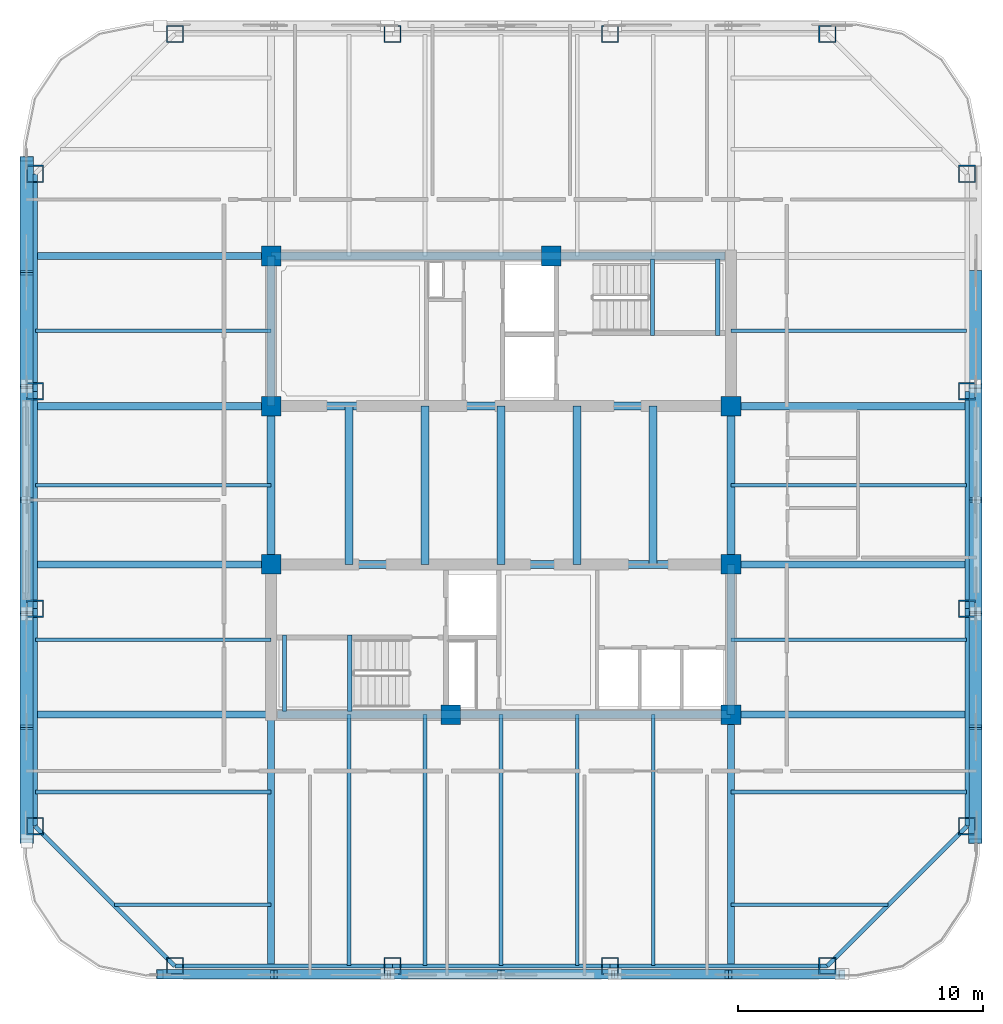
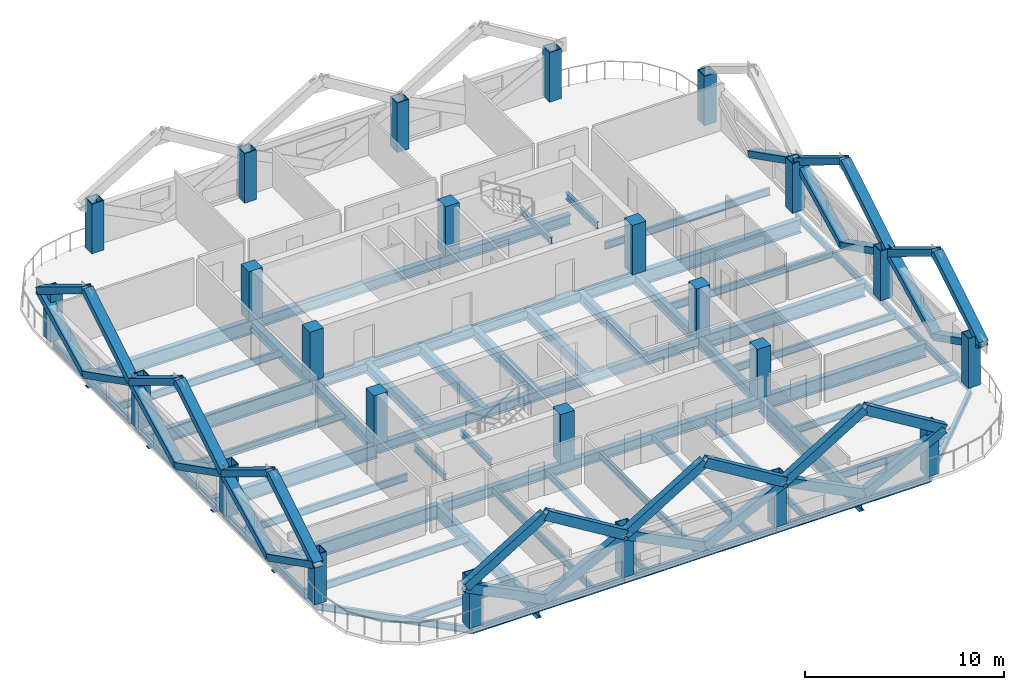
# One storey, part 1 of 9: 51 beams, 33 members, 24 columns.
"""IFC4 building model written with IfcOpenShell, lengths in metres."""

from ifc_helpers import new_model, si_unit, direction, frame, origin, origin_2d, place, context, subcontext, project, spatial, rectangle, hollow_rectangle, i_section, extrude, material, material_profile, profile_set, type_object, element, save


model = new_model("IFC4")

# Units and contexts
model_context = context("Model", 3, precision=1e-05, world=origin(), true_north=direction((0.0, 1.0)))
body_context = subcontext(model_context, "Body", "Model", "MODEL_VIEW")
ifc_project = project(units=[si_unit("LENGTHUNIT", "METRE"), si_unit("AREAUNIT", "SQUARE_METRE"), si_unit("VOLUMEUNIT", "CUBIC_METRE"), si_unit("PLANEANGLEUNIT", "RADIAN"), si_unit("MASSUNIT", "GRAM", prefix="KILO")], contexts=[model_context])

# Site, building, storey
site_placement = place(None, origin())
site = spatial("IfcSite", under=ifc_project, at=site_placement, CompositionType="ELEMENT")
building_placement = place(site_placement, origin())
building = spatial("IfcBuilding", under=site, at=building_placement, Name="Qhalaya Broadcast Tower", CompositionType="ELEMENT")
storey_placement = place(building_placement, frame((0.0, 0.0, 211.699951171875)))
storey = spatial("IfcBuildingStorey", under=building, at=storey_placement, Name="L62", CompositionType="ELEMENT", Elevation=211.699951171875)

# Columns
ifc_material_1 = material(Name="Concrete C50/60", Category="concrete")
ifc_material_profile_1 = material_profile(ifc_material_1, rectangle(XDim=0.800048828125, YDim=0.800048828125, at=origin_2d()), Name="RC-COL 800x800")
ifc_profile_set_1 = profile_set([ifc_material_profile_1], Name="Concrete C50/60")
column_type_1 = type_object("IfcColumnType", Name="RC Upper Column C10", PredefinedType="COLUMN", material=ifc_profile_set_1)
for number, where, z_axis, x_axis, name in (
    (1, (-9.375, 9.949951171875, 0.0), (0.0, 0.0, 1.0), (1.0, 0.0, 0.0), "L62 Column COL-CC1"),
    (2, (2.050048828125, 9.949951171875, 0.0), (0.0, 0.0, 1.0), (1.0, 0.0, 0.0), "L62 Column COL-CC2"),
    (3, (-9.375, 3.824951171875, 0.0), (0.0, 0.0, 1.0), (1.0, 0.0, 0.0), "L62 Column COL-CC3"),
    (4, (9.375, 3.824951171875, 0.0), (0.0, 0.0, 1.0), (1.0, 0.0, 0.0), "L62 Column COL-CC4"),
    (5, (-9.375, -2.625, 0.0), (0.0, 0.0, 1.0), (1.0, 0.0, 0.0), "L62 Column COL-CC5"),
    (6, (9.375, -2.625, 0.0), (0.0, 0.0, 1.0), (1.0, 0.0, 0.0), "L62 Column COL-CC6"),
    (7, (-2.050048828125, -8.75, 0.0), (0.0, 0.0, 1.0), (1.0, 0.0, 0.0), "L62 Column COL-CC7"),
    (8, (9.375, -8.75, 0.0), (0.0, 0.0, 1.0), (1.0, 0.0, 0.0), "L62 Column COL-CC8"),
):
    element("IfcColumn", number, at=place(storey_placement, frame(where, z_axis=z_axis, x_axis=x_axis)), inside=storey, type_object=column_type_1, Name=name, PredefinedType="COLUMN", context=body_context, shape_type="SweptSolid", body=[
        extrude(rectangle(XDim=0.800048828125, YDim=0.800048828125, at=origin_2d()), origin(), (0.0, 0.0, 1.0), 3.050048828125),
    ])
ifc_material_2 = material(Name="Structural Steel ASTM A572 Grade 50", Category="steel")
ifc_material_profile_2 = material_profile(ifc_material_2, hollow_rectangle(XDim=0.699951171875, YDim=0.699951171875, WallThickness=0.044921875, at=origin_2d()), Name="BOX 700x700x45")
ifc_profile_set_2 = profile_set([ifc_material_profile_2], Name="Structural Steel ASTM A572 Grade 50")
column_type_2 = type_object("IfcColumnType", Name="Steel Box Column C04", PredefinedType="COLUMN", material=ifc_profile_set_2)
for number, where, z_axis, x_axis, name in (
    (9, (-13.300048828125, -19.0, 0.0), (0.0, 0.0, 1.0), (1.0, 0.0, 0.0), "L62 Column COL-EX01"),
    (10, (-4.433349609375, -19.0, 0.0), (0.0, 0.0, 1.0), (1.0, 0.0, 0.0), "L62 Column COL-EX02"),
    (11, (4.433349609375, -19.0, 0.0), (0.0, 0.0, 1.0), (1.0, 0.0, 0.0), "L62 Column COL-EX03"),
    (12, (13.300048828125, -19.0, 0.0), (0.0, 0.0, 1.0), (1.0, 0.0, 0.0), "L62 Column COL-EX04"),
    (13, (19.0, -13.300048828125, 0.0), (0.0, 0.0, 1.0), (0.0, 1.0, 0.0), "L62 Column COL-EX05"),
    (14, (19.0, -4.433349609375, 0.0), (0.0, 0.0, 1.0), (0.0, 1.0, 0.0), "L62 Column COL-EX06"),
    (15, (19.0, 4.433349609375, 0.0), (0.0, 0.0, 1.0), (0.0, 1.0, 0.0), "L62 Column COL-EX07"),
    (16, (19.0, 13.300048828125, 0.0), (0.0, 0.0, 1.0), (0.0, 1.0, 0.0), "L62 Column COL-EX08"),
    (17, (13.300048828125, 19.0, 0.0), (0.0, 0.0, 1.0), (1.0, 0.0, 0.0), "L62 Column COL-EX09"),
    (18, (4.433349609375, 19.0, 0.0), (0.0, 0.0, 1.0), (1.0, 0.0, 0.0), "L62 Column COL-EX10"),
    (19, (-4.433349609375, 19.0, 0.0), (0.0, 0.0, 1.0), (1.0, 0.0, 0.0), "L62 Column COL-EX11"),
    (20, (-13.300048828125, 19.0, 0.0), (0.0, 0.0, 1.0), (1.0, 0.0, 0.0), "L62 Column COL-EX12"),
    (21, (-19.0, 13.300048828125, 0.0), (0.0, 0.0, 1.0), (0.0, 1.0, 0.0), "L62 Column COL-EX13"),
    (22, (-19.0, 4.433349609375, 0.0), (0.0, 0.0, 1.0), (0.0, 1.0, 0.0), "L62 Column COL-EX14"),
    (23, (-19.0, -4.433349609375, 0.0), (0.0, 0.0, 1.0), (0.0, 1.0, 0.0), "L62 Column COL-EX15"),
    (24, (-19.0, -13.300048828125, 0.0), (0.0, 0.0, 1.0), (0.0, 1.0, 0.0), "L62 Column COL-EX16"),
):
    element("IfcColumn", number, at=place(storey_placement, frame(where, z_axis=z_axis, x_axis=x_axis)), inside=storey, type_object=column_type_2, Name=name, PredefinedType="COLUMN", context=body_context, shape_type="SweptSolid", body=[
        extrude(hollow_rectangle(XDim=0.699951171875, YDim=0.699951171875, WallThickness=0.044921875, at=origin_2d()), origin(), (0.0, 0.0, 1.0), 3.050048828125),
    ])

# Beams
ifc_material_3 = material(Name="Structural Steel ASTM A992 Grade 50", Category="steel")
ifc_material_profile_3 = material_profile(ifc_material_3, i_section(OverallWidth=0.154052734375, OverallDepth=0.458984375, WebThickness=0.009033203125, FlangeThickness=0.015380859375, at=origin_2d()), Name="W18X46")
ifc_profile_set_3 = profile_set([ifc_material_profile_3], Name="Structural Steel ASTM A992 Grade 50")
beam_type_1 = type_object("IfcBeamType", Name="Composite Floor Joist J04", PredefinedType="JOIST", material=ifc_profile_set_3)
for number, where, z_axis, x_axis, name in (
    (25, (-6.199951171875, -18.97998046875, -0.41943359375), (0.0, 1.0, 0.0), (-1.0, 0.0, 0.0), "L62 J04 L62-JNS1-1"),
    (26, (-3.10009765625, -18.97998046875, -0.41943359375), (0.0, 1.0, 0.0), (-1.0, 0.0, 0.0), "L62 J04 L62-JNS2-1"),
    (27, (0.0, -18.97998046875, -0.41943359375), (0.0, 1.0, 0.0), (-1.0, 0.0, 0.0), "L62 J04 L62-JNS3-1"),
    (28, (3.10009765625, -18.97998046875, -0.41943359375), (0.0, 1.0, 0.0), (-1.0, 0.0, 0.0), "L62 J04 L62-JNS4-1"),
    (29, (6.199951171875, -18.97998046875, -0.41943359375), (0.0, 1.0, 0.0), (-1.0, 0.0, 0.0), "L62 J04 L62-JNS5-1"),
):
    element("IfcBeam", number, at=place(storey_placement, frame(where, z_axis=z_axis, x_axis=x_axis)), inside=storey, type_object=beam_type_1, Name=name, PredefinedType="JOIST", context=body_context, shape_type="SweptSolid", body=[
        extrude(i_section(OverallWidth=0.154052734375, OverallDepth=0.458984375, WebThickness=0.009033203125, FlangeThickness=0.015380859375, at=origin_2d()), origin(), (0.0, 0.0, 1.0), 10.22998046875),
    ])
for number, where, z_axis, x_axis, name in (
    (30, (-15.771728515625, -16.5, -0.41943359375), (1.0, 0.0, 0.0), (0.0, 1.0, 0.0), "L62 J04 L62-JWE1W-1"),
    (31, (9.375, -16.5, -0.41943359375), (1.0, 0.0, 0.0), (0.0, 1.0, 0.0), "L62 J04 L62-JWE1E-1"),
):
    element("IfcBeam", number, at=place(storey_placement, frame(where, z_axis=z_axis, x_axis=x_axis)), inside=storey, type_object=beam_type_1, Name=name, PredefinedType="JOIST", context=body_context, shape_type="SweptSolid", body=[
        extrude(i_section(OverallWidth=0.154052734375, OverallDepth=0.458984375, WebThickness=0.009033203125, FlangeThickness=0.015380859375, at=origin_2d()), origin(), (0.0, 0.0, 1.0), 6.396728515625),
    ])
for number, where, z_axis, x_axis, name in (
    (32, (-18.97998046875, -11.89990234375, -0.41943359375), (1.0, 0.0, 0.0), (0.0, 1.0, 0.0), "L62 J04 L62-JWE2W-1"),
    (33, (9.375, -11.89990234375, -0.41943359375), (1.0, 0.0, 0.0), (0.0, 1.0, 0.0), "L62 J04 L62-JWE2E-1"),
    (34, (-18.97998046875, -5.699951171875, -0.41943359375), (1.0, 0.0, 0.0), (0.0, 1.0, 0.0), "L62 J04 L62-JWE3W-1"),
    (35, (9.375, -5.699951171875, -0.41943359375), (1.0, 0.0, 0.0), (0.0, 1.0, 0.0), "L62 J04 L62-JWE3E-1"),
    (36, (-18.97998046875, 0.60009765625, -0.41943359375), (1.0, 0.0, 0.0), (0.0, 1.0, 0.0), "L62 J04 L62-JWE4W-1"),
    (37, (9.375, 0.60009765625, -0.41943359375), (1.0, 0.0, 0.0), (0.0, 1.0, 0.0), "L62 J04 L62-JWE4E-1"),
    (38, (-18.97998046875, 6.89990234375, -0.41943359375), (1.0, 0.0, 0.0), (0.0, 1.0, 0.0), "L62 J04 L62-JWE5W-1"),
    (39, (9.375, 6.89990234375, -0.41943359375), (1.0, 0.0, 0.0), (0.0, 1.0, 0.0), "L62 J04 L62-JWE5E-1"),
):
    element("IfcBeam", number, at=place(storey_placement, frame(where, z_axis=z_axis, x_axis=x_axis)), inside=storey, type_object=beam_type_1, Name=name, PredefinedType="JOIST", context=body_context, shape_type="SweptSolid", body=[
        extrude(i_section(OverallWidth=0.154052734375, OverallDepth=0.458984375, WebThickness=0.009033203125, FlangeThickness=0.015380859375, at=origin_2d()), origin(), (0.0, 0.0, 1.0), 9.60498046875),
    ])
ifc_material_profile_4 = material_profile(ifc_material_3, i_section(OverallWidth=0.323974609375, OverallDepth=0.612060546875, WebThickness=0.0126953125, FlangeThickness=0.01904296875, at=origin_2d()), Name="W24X104")
ifc_profile_set_4 = profile_set([ifc_material_profile_4], Name="Structural Steel ASTM A992 Grade 50")
beam_type_2 = type_object("IfcBeamType", Name="Core Frame Tie Beam B04", PredefinedType="BEAM", material=ifc_profile_set_4)
beam_1_placement = place(storey_placement, frame((-9.375, 3.824951171875, -0.495849609375), z_axis=(1.0, 0.0, 0.0), x_axis=(0.0, 1.0, 0.0)))
element("IfcBeam", 40, at=beam_1_placement, inside=storey, type_object=beam_type_2, Name="L62 B04 L62-CCN1", PredefinedType="BEAM", context=body_context, shape_type="SweptSolid", body=[
    extrude(i_section(OverallWidth=0.323974609375, OverallDepth=0.612060546875, WebThickness=0.0126953125, FlangeThickness=0.01904296875, at=origin_2d()), origin(), (0.0, 0.0, 1.0), 18.75),
])
beam_2_placement = place(storey_placement, frame((-9.375, 3.824951171875, -0.495849609375), z_axis=(0.0, 1.0, 0.0), x_axis=(-1.0, 0.0, 0.0)))
element("IfcBeam", 41, at=beam_2_placement, inside=storey, type_object=beam_type_2, Name="L62 B04 L62-CCN2", PredefinedType="BEAM", context=body_context, shape_type="SweptSolid", body=[
    extrude(i_section(OverallWidth=0.323974609375, OverallDepth=0.612060546875, WebThickness=0.0126953125, FlangeThickness=0.01904296875, at=origin_2d()), origin(), (0.0, 0.0, 1.0), 6.125),
])
beam_3_placement = place(storey_placement, frame((-9.375, 9.949951171875, -0.495849609375), z_axis=(1.0, 0.0, 0.0), x_axis=(0.0, 1.0, 0.0)))
element("IfcBeam", 42, at=beam_3_placement, inside=storey, type_object=beam_type_2, Name="L62 B04 L62-CCN3", PredefinedType="BEAM", context=body_context, shape_type="SweptSolid", body=[
    extrude(i_section(OverallWidth=0.323974609375, OverallDepth=0.612060546875, WebThickness=0.0126953125, FlangeThickness=0.01904296875, at=origin_2d()), origin(), (0.0, 0.0, 1.0), 18.4951171875),
])
beam_4_placement = place(storey_placement, frame((-9.375, -2.625, -0.495849609375), z_axis=(1.0, 0.0, 0.0), x_axis=(0.0, 1.0, 0.0)))
element("IfcBeam", 43, at=beam_4_placement, inside=storey, type_object=beam_type_2, Name="L62 B04 L62-CCS1", PredefinedType="BEAM", context=body_context, shape_type="SweptSolid", body=[
    extrude(i_section(OverallWidth=0.323974609375, OverallDepth=0.612060546875, WebThickness=0.0126953125, FlangeThickness=0.01904296875, at=origin_2d()), origin(), (0.0, 0.0, 1.0), 18.75),
])
beam_5_placement = place(storey_placement, frame((9.375, -8.75, -0.495849609375), z_axis=(0.0, 1.0, 0.0), x_axis=(-1.0, 0.0, 0.0)))
element("IfcBeam", 44, at=beam_5_placement, inside=storey, type_object=beam_type_2, Name="L62 B04 L62-CCS2", PredefinedType="BEAM", context=body_context, shape_type="SweptSolid", body=[
    extrude(i_section(OverallWidth=0.323974609375, OverallDepth=0.612060546875, WebThickness=0.0126953125, FlangeThickness=0.01904296875, at=origin_2d()), origin(), (0.0, 0.0, 1.0), 6.125),
])
beam_6_placement = place(storey_placement, frame((-9.1201171875, -8.75, -0.495849609375), z_axis=(1.0, 0.0, 0.0), x_axis=(0.0, 1.0, 0.0)))
element("IfcBeam", 45, at=beam_6_placement, inside=storey, type_object=beam_type_2, Name="L62 B04 L62-CCS3", PredefinedType="BEAM", context=body_context, shape_type="SweptSolid", body=[
    extrude(i_section(OverallWidth=0.323974609375, OverallDepth=0.612060546875, WebThickness=0.0126953125, FlangeThickness=0.01904296875, at=origin_2d()), origin(), (0.0, 0.0, 1.0), 18.4951171875),
])
for number, where, z_axis, x_axis, name in (
    (46, (-9.375, -2.625, -0.495849609375), (0.0, 1.0, 0.0), (-1.0, 0.0, 0.0), "L62 B04 L62-CCW"),
    (47, (9.375, -2.625, -0.495849609375), (0.0, 1.0, 0.0), (-1.0, 0.0, 0.0), "L62 B04 L62-CCE"),
    (48, (-6.199951171875, -2.625, -0.495849609375), (0.0, 1.0, 0.0), (-1.0, 0.0, 0.0), "L62 B04 L62-JC1-1"),
    (49, (-3.10009765625, -2.625, -0.495849609375), (0.0, 1.0, 0.0), (-1.0, 0.0, 0.0), "L62 B04 L62-JC2-1"),
    (50, (0.0, -2.625, -0.495849609375), (0.0, 1.0, 0.0), (-1.0, 0.0, 0.0), "L62 B04 L62-JC3-1"),
    (51, (3.10009765625, -2.625, -0.495849609375), (0.0, 1.0, 0.0), (-1.0, 0.0, 0.0), "L62 B04 L62-JC4-1"),
    (52, (6.199951171875, -2.625, -0.495849609375), (0.0, 1.0, 0.0), (-1.0, 0.0, 0.0), "L62 B04 L62-JC5-1"),
):
    element("IfcBeam", number, at=place(storey_placement, frame(where, z_axis=z_axis, x_axis=x_axis)), inside=storey, type_object=beam_type_2, Name=name, PredefinedType="BEAM", context=body_context, shape_type="SweptSolid", body=[
        extrude(i_section(OverallWidth=0.323974609375, OverallDepth=0.612060546875, WebThickness=0.0126953125, FlangeThickness=0.01904296875, at=origin_2d()), origin(), (0.0, 0.0, 1.0), 6.449951171875),
    ])

# Members
ifc_material_profile_5 = material_profile(ifc_material_2, hollow_rectangle(XDim=0.3798828125, YDim=0.550048828125, WallThickness=0.02490234375, at=origin_2d()), Name="BOX 380x550x25")
ifc_profile_set_5 = profile_set([ifc_material_profile_5], Name="Structural Steel ASTM A572 Grade 50")
member_type = type_object("IfcMemberType", Name="Exoskeleton Diamond Diagonal Upper EX4", PredefinedType="BRACE", material=ifc_profile_set_5)
for number, where, z_axis, x_axis, name in (
    (53, (-9.2666015625, -19.340087890625, 0.360107421875), (-0.892235092116, 0.0, 0.451571190841), (0.0, -1.0, 0.0), "B5 Exoskeleton Diamond Brace S1-D1"),
    (54, (-9.2666015625, -19.340087890625, 0.360107421875), (0.892235092116, 0.0, 0.451571190841), (0.0, 1.0, 0.0), "B5 Exoskeleton Diamond Brace S1-D2"),
):
    element("IfcMember", number, at=place(storey_placement, frame(where, z_axis=z_axis, x_axis=x_axis)), inside=storey, type_object=member_type, Name=name, PredefinedType="BRACE", context=body_context, shape_type="SweptSolid", body=[
        extrude(hollow_rectangle(XDim=0.3798828125, YDim=0.550048828125, WallThickness=0.02490234375, at=origin_2d()), origin(), (0.0, 0.0, 1.0), 5.19287109375),
    ])
for number, where, z_axis, x_axis, name in (
    (55, (-13.89990234375, -19.340087890625, 2.705078125), (0.853815197337, 0.0, 0.520576227652), (0.0, 1.0, 0.0), "B5 Exoskeleton Diamond Brace S1-D3"),
    (56, (-4.63330078125, -19.340087890625, 2.705078125), (-0.853815197337, 0.0, 0.520576227652), (0.0, -1.0, 0.0), "B5 Exoskeleton Diamond Brace S1-D4"),
):
    element("IfcMember", number, at=place(storey_placement, frame(where, z_axis=z_axis, x_axis=x_axis)), inside=storey, type_object=member_type, Name=name, PredefinedType="BRACE", context=body_context, shape_type="SweptSolid", body=[
        extrude(hollow_rectangle(XDim=0.3798828125, YDim=0.550048828125, WallThickness=0.02490234375, at=origin_2d()), origin(), (0.0, 0.0, 1.0), 5.426513671875),
    ])
for number, where, z_axis, x_axis, name in (
    (57, (0.0, -19.340087890625, 0.360107421875), (-0.892235092116, 0.0, 0.451571190841), (0.0, -1.0, 0.0), "B5 Exoskeleton Diamond Brace S2-D1"),
    (58, (0.0, -19.340087890625, 0.360107421875), (0.892235092116, 0.0, 0.451571190841), (0.0, 1.0, 0.0), "B5 Exoskeleton Diamond Brace S2-D2"),
):
    element("IfcMember", number, at=place(storey_placement, frame(where, z_axis=z_axis, x_axis=x_axis)), inside=storey, type_object=member_type, Name=name, PredefinedType="BRACE", context=body_context, shape_type="SweptSolid", body=[
        extrude(hollow_rectangle(XDim=0.3798828125, YDim=0.550048828125, WallThickness=0.02490234375, at=origin_2d()), origin(), (0.0, 0.0, 1.0), 5.19287109375),
    ])
for number, where, z_axis, x_axis, name in (
    (59, (-4.63330078125, -19.340087890625, 2.705078125), (0.853815197337, 0.0, 0.520576227652), (0.0, 1.0, 0.0), "B5 Exoskeleton Diamond Brace S2-D3"),
    (60, (4.63330078125, -19.340087890625, 2.705078125), (-0.853815197337, 0.0, 0.520576227652), (0.0, -1.0, 0.0), "B5 Exoskeleton Diamond Brace S2-D4"),
):
    element("IfcMember", number, at=place(storey_placement, frame(where, z_axis=z_axis, x_axis=x_axis)), inside=storey, type_object=member_type, Name=name, PredefinedType="BRACE", context=body_context, shape_type="SweptSolid", body=[
        extrude(hollow_rectangle(XDim=0.3798828125, YDim=0.550048828125, WallThickness=0.02490234375, at=origin_2d()), origin(), (0.0, 0.0, 1.0), 5.426513671875),
    ])
for number, where, z_axis, x_axis, name in (
    (61, (9.2666015625, -19.340087890625, 0.360107421875), (-0.892235092116, 0.0, 0.451571190841), (0.0, -1.0, 0.0), "B5 Exoskeleton Diamond Brace S3-D1"),
    (62, (9.2666015625, -19.340087890625, 0.360107421875), (0.892235092116, 0.0, 0.451571190841), (0.0, 1.0, 0.0), "B5 Exoskeleton Diamond Brace S3-D2"),
):
    element("IfcMember", number, at=place(storey_placement, frame(where, z_axis=z_axis, x_axis=x_axis)), inside=storey, type_object=member_type, Name=name, PredefinedType="BRACE", context=body_context, shape_type="SweptSolid", body=[
        extrude(hollow_rectangle(XDim=0.3798828125, YDim=0.550048828125, WallThickness=0.02490234375, at=origin_2d()), origin(), (0.0, 0.0, 1.0), 5.19287109375),
    ])
for number, where, z_axis, x_axis, name in (
    (63, (4.63330078125, -19.340087890625, 2.705078125), (0.853815197337, 0.0, 0.520576227652), (0.0, 1.0, 0.0), "B5 Exoskeleton Diamond Brace S3-D3"),
    (64, (13.89990234375, -19.340087890625, 2.705078125), (-0.853815197337, 0.0, 0.520576227652), (0.0, -1.0, 0.0), "B5 Exoskeleton Diamond Brace S3-D4"),
):
    element("IfcMember", number, at=place(storey_placement, frame(where, z_axis=z_axis, x_axis=x_axis)), inside=storey, type_object=member_type, Name=name, PredefinedType="BRACE", context=body_context, shape_type="SweptSolid", body=[
        extrude(hollow_rectangle(XDim=0.3798828125, YDim=0.550048828125, WallThickness=0.02490234375, at=origin_2d()), origin(), (0.0, 0.0, 1.0), 5.426513671875),
    ])
for number, where, z_axis, x_axis, name in (
    (65, (19.340087890625, -9.2666015625, 0.360107421875), (0.0, -0.892235092116, 0.451571190841), (0.0, 0.451571190841, 0.892235092116), "B5 Exoskeleton Diamond Brace E1-D1"),
    (66, (19.340087890625, -9.2666015625, 0.360107421875), (0.0, 0.892235092116, 0.451571190841), (0.0, -0.451571190841, 0.892235092116), "B5 Exoskeleton Diamond Brace E1-D2"),
):
    element("IfcMember", number, at=place(storey_placement, frame(where, z_axis=z_axis, x_axis=x_axis)), inside=storey, type_object=member_type, Name=name, PredefinedType="BRACE", context=body_context, shape_type="SweptSolid", body=[
        extrude(hollow_rectangle(XDim=0.3798828125, YDim=0.550048828125, WallThickness=0.02490234375, at=origin_2d()), origin(), (0.0, 0.0, 1.0), 5.19287109375),
    ])
for number, where, z_axis, x_axis, name in (
    (67, (19.340087890625, -13.89990234375, 2.705078125), (0.0, 0.853815197337, 0.520576227652), (0.0, -0.520576227652, 0.853815197337), "B5 Exoskeleton Diamond Brace E1-D3"),
    (68, (19.340087890625, -4.63330078125, 2.705078125), (0.0, -0.853815197337, 0.520576227652), (0.0, 0.520576227652, 0.853815197337), "B5 Exoskeleton Diamond Brace E1-D4"),
):
    element("IfcMember", number, at=place(storey_placement, frame(where, z_axis=z_axis, x_axis=x_axis)), inside=storey, type_object=member_type, Name=name, PredefinedType="BRACE", context=body_context, shape_type="SweptSolid", body=[
        extrude(hollow_rectangle(XDim=0.3798828125, YDim=0.550048828125, WallThickness=0.02490234375, at=origin_2d()), origin(), (0.0, 0.0, 1.0), 5.426513671875),
    ])
for number, where, z_axis, x_axis, name in (
    (69, (19.340087890625, 0.0, 0.360107421875), (0.0, -0.892235092116, 0.451571190841), (0.0, 0.451571190841, 0.892235092116), "B5 Exoskeleton Diamond Brace E2-D1"),
    (70, (19.340087890625, 0.0, 0.360107421875), (0.0, 0.892235092116, 0.451571190841), (0.0, -0.451571190841, 0.892235092116), "B5 Exoskeleton Diamond Brace E2-D2"),
):
    element("IfcMember", number, at=place(storey_placement, frame(where, z_axis=z_axis, x_axis=x_axis)), inside=storey, type_object=member_type, Name=name, PredefinedType="BRACE", context=body_context, shape_type="SweptSolid", body=[
        extrude(hollow_rectangle(XDim=0.3798828125, YDim=0.550048828125, WallThickness=0.02490234375, at=origin_2d()), origin(), (0.0, 0.0, 1.0), 5.19287109375),
    ])
for number, where, z_axis, x_axis, name in (
    (71, (19.340087890625, -4.63330078125, 2.705078125), (0.0, 0.853815197337, 0.520576227652), (0.0, -0.520576227652, 0.853815197337), "B5 Exoskeleton Diamond Brace E2-D3"),
    (72, (19.340087890625, 4.63330078125, 2.705078125), (0.0, -0.853815197337, 0.520576227652), (0.0, 0.520576227652, 0.853815197337), "B5 Exoskeleton Diamond Brace E2-D4"),
):
    element("IfcMember", number, at=place(storey_placement, frame(where, z_axis=z_axis, x_axis=x_axis)), inside=storey, type_object=member_type, Name=name, PredefinedType="BRACE", context=body_context, shape_type="SweptSolid", body=[
        extrude(hollow_rectangle(XDim=0.3798828125, YDim=0.550048828125, WallThickness=0.02490234375, at=origin_2d()), origin(), (0.0, 0.0, 1.0), 5.426513671875),
    ])
for number, where, z_axis, x_axis, name in (
    (73, (19.340087890625, 9.2666015625, 0.360107421875), (0.0, -0.892235092116, 0.451571190841), (0.0, 0.451571190841, 0.892235092116), "B5 Exoskeleton Diamond Brace E3-D1"),
    (74, (-19.340087890625, 9.2666015625, 0.360107421875), (0.0, 0.892235092116, 0.451571190841), (0.0, -0.451571190841, 0.892235092116), "B5 Exoskeleton Diamond Brace W1-D1"),
    (75, (-19.340087890625, 9.2666015625, 0.360107421875), (0.0, -0.892235092116, 0.451571190841), (0.0, 0.451571190841, 0.892235092116), "B5 Exoskeleton Diamond Brace W1-D2"),
):
    element("IfcMember", number, at=place(storey_placement, frame(where, z_axis=z_axis, x_axis=x_axis)), inside=storey, type_object=member_type, Name=name, PredefinedType="BRACE", context=body_context, shape_type="SweptSolid", body=[
        extrude(hollow_rectangle(XDim=0.3798828125, YDim=0.550048828125, WallThickness=0.02490234375, at=origin_2d()), origin(), (0.0, 0.0, 1.0), 5.19287109375),
    ])
for number, where, z_axis, x_axis, name in (
    (76, (-19.340087890625, 13.89990234375, 2.705078125), (0.0, -0.853815197337, 0.520576227652), (0.0, 0.520576227652, 0.853815197337), "B5 Exoskeleton Diamond Brace W1-D3"),
    (77, (-19.340087890625, 4.63330078125, 2.705078125), (0.0, 0.853815197337, 0.520576227652), (0.0, -0.520576227652, 0.853815197337), "B5 Exoskeleton Diamond Brace W1-D4"),
):
    element("IfcMember", number, at=place(storey_placement, frame(where, z_axis=z_axis, x_axis=x_axis)), inside=storey, type_object=member_type, Name=name, PredefinedType="BRACE", context=body_context, shape_type="SweptSolid", body=[
        extrude(hollow_rectangle(XDim=0.3798828125, YDim=0.550048828125, WallThickness=0.02490234375, at=origin_2d()), origin(), (0.0, 0.0, 1.0), 5.426513671875),
    ])
for number, where, z_axis, x_axis, name in (
    (78, (-19.340087890625, 0.0, 0.360107421875), (0.0, 0.892235092116, 0.451571190841), (0.0, -0.451571190841, 0.892235092116), "B5 Exoskeleton Diamond Brace W2-D1"),
    (79, (-19.340087890625, 0.0, 0.360107421875), (0.0, -0.892235092116, 0.451571190841), (0.0, 0.451571190841, 0.892235092116), "B5 Exoskeleton Diamond Brace W2-D2"),
):
    element("IfcMember", number, at=place(storey_placement, frame(where, z_axis=z_axis, x_axis=x_axis)), inside=storey, type_object=member_type, Name=name, PredefinedType="BRACE", context=body_context, shape_type="SweptSolid", body=[
        extrude(hollow_rectangle(XDim=0.3798828125, YDim=0.550048828125, WallThickness=0.02490234375, at=origin_2d()), origin(), (0.0, 0.0, 1.0), 5.19287109375),
    ])
for number, where, z_axis, x_axis, name in (
    (80, (-19.340087890625, 4.63330078125, 2.705078125), (0.0, -0.853815197337, 0.520576227652), (0.0, 0.520576227652, 0.853815197337), "B5 Exoskeleton Diamond Brace W2-D3"),
    (81, (-19.340087890625, -4.63330078125, 2.705078125), (0.0, 0.853815197337, 0.520576227652), (0.0, -0.520576227652, 0.853815197337), "B5 Exoskeleton Diamond Brace W2-D4"),
):
    element("IfcMember", number, at=place(storey_placement, frame(where, z_axis=z_axis, x_axis=x_axis)), inside=storey, type_object=member_type, Name=name, PredefinedType="BRACE", context=body_context, shape_type="SweptSolid", body=[
        extrude(hollow_rectangle(XDim=0.3798828125, YDim=0.550048828125, WallThickness=0.02490234375, at=origin_2d()), origin(), (0.0, 0.0, 1.0), 5.426513671875),
    ])
for number, where, z_axis, x_axis, name in (
    (82, (-19.340087890625, -9.2666015625, 0.360107421875), (0.0, 0.892235092116, 0.451571190841), (0.0, -0.451571190841, 0.892235092116), "B5 Exoskeleton Diamond Brace W3-D1"),
    (83, (-19.340087890625, -9.2666015625, 0.360107421875), (0.0, -0.892235092116, 0.451571190841), (0.0, 0.451571190841, 0.892235092116), "B5 Exoskeleton Diamond Brace W3-D2"),
):
    element("IfcMember", number, at=place(storey_placement, frame(where, z_axis=z_axis, x_axis=x_axis)), inside=storey, type_object=member_type, Name=name, PredefinedType="BRACE", context=body_context, shape_type="SweptSolid", body=[
        extrude(hollow_rectangle(XDim=0.3798828125, YDim=0.550048828125, WallThickness=0.02490234375, at=origin_2d()), origin(), (0.0, 0.0, 1.0), 5.19287109375),
    ])
for number, where, z_axis, x_axis, name in (
    (84, (-19.340087890625, -4.63330078125, 2.705078125), (0.0, -0.853815197337, 0.520576227652), (0.0, 0.520576227652, 0.853815197337), "B5 Exoskeleton Diamond Brace W3-D3"),
    (85, (-19.340087890625, -13.89990234375, 2.705078125), (0.0, 0.853815197337, 0.520576227652), (0.0, -0.520576227652, 0.853815197337), "B5 Exoskeleton Diamond Brace W3-D4"),
):
    element("IfcMember", number, at=place(storey_placement, frame(where, z_axis=z_axis, x_axis=x_axis)), inside=storey, type_object=member_type, Name=name, PredefinedType="BRACE", context=body_context, shape_type="SweptSolid", body=[
        extrude(hollow_rectangle(XDim=0.3798828125, YDim=0.550048828125, WallThickness=0.02490234375, at=origin_2d()), origin(), (0.0, 0.0, 1.0), 5.426513671875),
    ])

# Beams
ifc_material_profile_6 = material_profile(ifc_material_3, i_section(OverallWidth=0.2919921875, OverallDepth=0.85888671875, WebThickness=0.01708984375, FlangeThickness=0.031005859375, at=origin_2d()), Name="W33X169")
ifc_profile_set_6 = profile_set([ifc_material_profile_6], Name="Structural Steel ASTM A992 Grade 50")
beam_type_3 = type_object("IfcBeamType", Name="Upper Block Primary Girder PG4", PredefinedType="USERDEFINED", material=ifc_profile_set_6)
for number, where, z_axis, x_axis, name in (
    (86, (-9.375, -18.97998046875, -0.619384765625), (0.0, 1.0, 0.0), (-1.0, 0.0, 0.0), "L62 PG4 L62-PGXS1-1"),
    (87, (9.375, -18.97998046875, -0.619384765625), (0.0, 1.0, 0.0), (-1.0, 0.0, 0.0), "L62 PG4 L62-PGXS2-1"),
):
    element("IfcBeam", number, at=place(storey_placement, frame(where, z_axis=z_axis, x_axis=x_axis)), inside=storey, type_object=beam_type_3, Name=name, ObjectType="GIRDER", PredefinedType="USERDEFINED", context=body_context, shape_type="SweptSolid", body=[
        extrude(i_section(OverallWidth=0.2919921875, OverallDepth=0.85888671875, WebThickness=0.01708984375, FlangeThickness=0.031005859375, at=origin_2d()), origin(), (0.0, 0.0, 1.0), 10.22998046875),
    ])
for number, where, z_axis, x_axis, name in (
    (88, (-18.97998046875, -8.75, -0.619384765625), (1.0, 0.0, 0.0), (0.0, 1.0, 0.0), "L62 PG4 L62-PGYW1-1"),
    (89, (9.375, -8.75, -0.619384765625), (1.0, 0.0, 0.0), (0.0, 1.0, 0.0), "L62 PG4 L62-PGYE1-1"),
    (90, (-18.97998046875, -2.625, -0.619384765625), (1.0, 0.0, 0.0), (0.0, 1.0, 0.0), "L62 PG4 L62-PGYW2-1"),
    (91, (9.375, -2.625, -0.619384765625), (1.0, 0.0, 0.0), (0.0, 1.0, 0.0), "L62 PG4 L62-PGYE2-1"),
    (92, (-18.97998046875, 3.824951171875, -0.619384765625), (1.0, 0.0, 0.0), (0.0, 1.0, 0.0), "L62 PG4 L62-PGYW3-1"),
    (93, (9.375, 3.824951171875, -0.619384765625), (1.0, 0.0, 0.0), (0.0, 1.0, 0.0), "L62 PG4 L62-PGYE3-1"),
    (94, (-18.97998046875, 9.949951171875, -0.619384765625), (1.0, 0.0, 0.0), (0.0, 1.0, 0.0), "L62 PG4 L62-PGYW4-1"),
):
    element("IfcBeam", number, at=place(storey_placement, frame(where, z_axis=z_axis, x_axis=x_axis)), inside=storey, type_object=beam_type_3, Name=name, ObjectType="GIRDER", PredefinedType="USERDEFINED", context=body_context, shape_type="SweptSolid", body=[
        extrude(i_section(OverallWidth=0.2919921875, OverallDepth=0.85888671875, WebThickness=0.01708984375, FlangeThickness=0.031005859375, at=origin_2d()), origin(), (0.0, 0.0, 1.0), 9.60498046875),
    ])
ifc_material_profile_7 = material_profile(ifc_material_3, i_section(OverallWidth=0.177978515625, OverallDepth=0.406005859375, WebThickness=0.0078125, FlangeThickness=0.0126953125, at=origin_2d()), Name="W16X40")
ifc_profile_set_7 = profile_set([ifc_material_profile_7], Name="Structural Steel ASTM A992 Grade 50")
beam_type_4 = type_object("IfcBeamType", Name="Upper Perimeter Spandrel Beam SP2", PredefinedType="SPANDREL", material=ifc_profile_set_7)
for number, where, z_axis, x_axis, name in (
    (95, (-13.300048828125, -19.0, -0.39306640625), (1.0, 0.0, 0.0), (0.0, 1.0, 0.0), "L62 SP2 L62-SPR-01"),
    (96, (-4.433349609375, -19.0, -0.39306640625), (1.0, 0.0, 0.0), (0.0, 1.0, 0.0), "L62 SP2 L62-SPR-02"),
    (97, (4.433349609375, -19.0, -0.39306640625), (1.0, 0.0, 0.0), (0.0, 1.0, 0.0), "L62 SP2 L62-SPR-03"),
):
    element("IfcBeam", number, at=place(storey_placement, frame(where, z_axis=z_axis, x_axis=x_axis)), inside=storey, type_object=beam_type_4, Name=name, PredefinedType="SPANDREL", context=body_context, shape_type="SweptSolid", body=[
        extrude(i_section(OverallWidth=0.177978515625, OverallDepth=0.406005859375, WebThickness=0.0078125, FlangeThickness=0.0126953125, at=origin_2d()), origin(), (0.0, 0.0, 1.0), 8.86669921875),
    ])
beam_7_placement = place(storey_placement, frame((13.300048828125, -19.0, -0.39306640625), z_axis=(0.707106781187, 0.707106781187, 0.0), x_axis=(-0.707106781187, 0.707106781187, 0.0)))
element("IfcBeam", 98, at=beam_7_placement, inside=storey, type_object=beam_type_4, Name="L62 SP2 L62-SPR-04", PredefinedType="SPANDREL", context=body_context, shape_type="SweptSolid", body=[
    extrude(i_section(OverallWidth=0.177978515625, OverallDepth=0.406005859375, WebThickness=0.0078125, FlangeThickness=0.0126953125, at=origin_2d()), origin(), (0.0, 0.0, 1.0), 8.06103515625),
])
for number, where, z_axis, x_axis, name in (
    (99, (19.0, -13.300048828125, -0.39306640625), (0.0, 1.0, 0.0), (-1.0, 0.0, 0.0), "L62 SP2 L62-SPR-05"),
    (100, (19.0, -4.433349609375, -0.39306640625), (0.0, 1.0, 0.0), (-1.0, 0.0, 0.0), "L62 SP2 L62-SPR-06"),
    (101, (-19.0, 13.300048828125, -0.39306640625), (0.0, -1.0, 0.0), (1.0, 0.0, 0.0), "L62 SP2 L62-SPR-13"),
    (102, (-19.0, 4.433349609375, -0.39306640625), (0.0, -1.0, 0.0), (1.0, 0.0, 0.0), "L62 SP2 L62-SPR-14"),
    (103, (-19.0, -4.433349609375, -0.39306640625), (0.0, -1.0, 0.0), (1.0, 0.0, 0.0), "L62 SP2 L62-SPR-15"),
):
    element("IfcBeam", number, at=place(storey_placement, frame(where, z_axis=z_axis, x_axis=x_axis)), inside=storey, type_object=beam_type_4, Name=name, PredefinedType="SPANDREL", context=body_context, shape_type="SweptSolid", body=[
        extrude(i_section(OverallWidth=0.177978515625, OverallDepth=0.406005859375, WebThickness=0.0078125, FlangeThickness=0.0126953125, at=origin_2d()), origin(), (0.0, 0.0, 1.0), 8.86669921875),
    ])
beam_8_placement = place(storey_placement, frame((-19.0, -13.300048828125, -0.39306640625), z_axis=(0.707106781187, -0.707106781187, 0.0), x_axis=(0.707106781187, 0.707106781187, 0.0)))
element("IfcBeam", 104, at=beam_8_placement, inside=storey, type_object=beam_type_4, Name="L62 SP2 L62-SPR-16", PredefinedType="SPANDREL", context=body_context, shape_type="SweptSolid", body=[
    extrude(i_section(OverallWidth=0.177978515625, OverallDepth=0.406005859375, WebThickness=0.0078125, FlangeThickness=0.0126953125, at=origin_2d()), origin(), (0.0, 0.0, 1.0), 8.06103515625),
])
for number, where, z_axis, x_axis, name in (
    (105, (6.175048828125, 6.699951171875, 1.1220703125), (0.0, 1.0, 0.0), (-1.0, 0.0, 0.0), "L62 ST-1 Half-Landing Bearer Beam 1"),
    (106, (8.830078125, 6.699951171875, 1.1220703125), (0.0, 1.0, 0.0), (-1.0, 0.0, 0.0), "L62 ST-1 Half-Landing Bearer Beam 2"),
    (107, (-8.830078125, -8.6201171875, 1.1220703125), (0.0, 1.0, 0.0), (-1.0, 0.0, 0.0), "L62 ST-2 Half-Landing Bearer Beam 1"),
    (108, (-6.175048828125, -8.6201171875, 1.1220703125), (0.0, 1.0, 0.0), (-1.0, 0.0, 0.0), "L62 ST-2 Half-Landing Bearer Beam 2"),
):
    element("IfcBeam", number, at=place(storey_placement, frame(where, z_axis=z_axis, x_axis=x_axis)), inside=storey, type_object=beam_type_4, Name=name, PredefinedType="SPANDREL", context=body_context, shape_type="SweptSolid", body=[
        extrude(i_section(OverallWidth=0.177978515625, OverallDepth=0.406005859375, WebThickness=0.0078125, FlangeThickness=0.0126953125, at=origin_2d()), origin(), (0.0, 0.0, 1.0), 3.1201171875),
    ])

save(model, "model.ifc")
